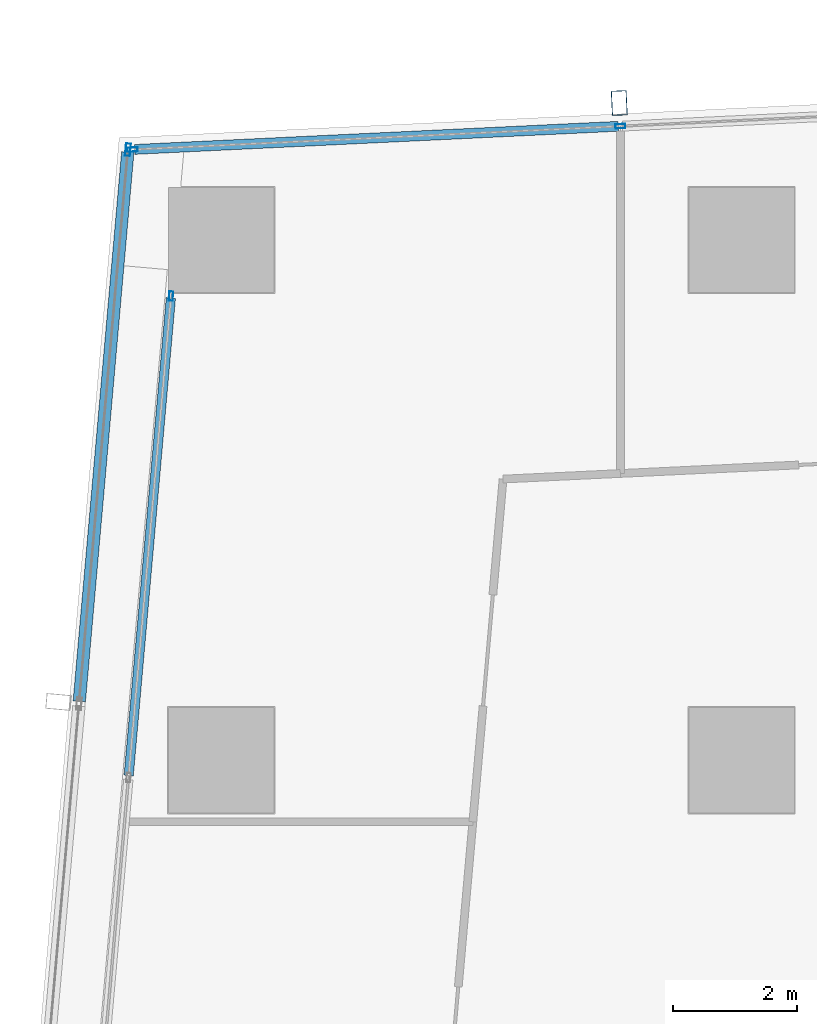
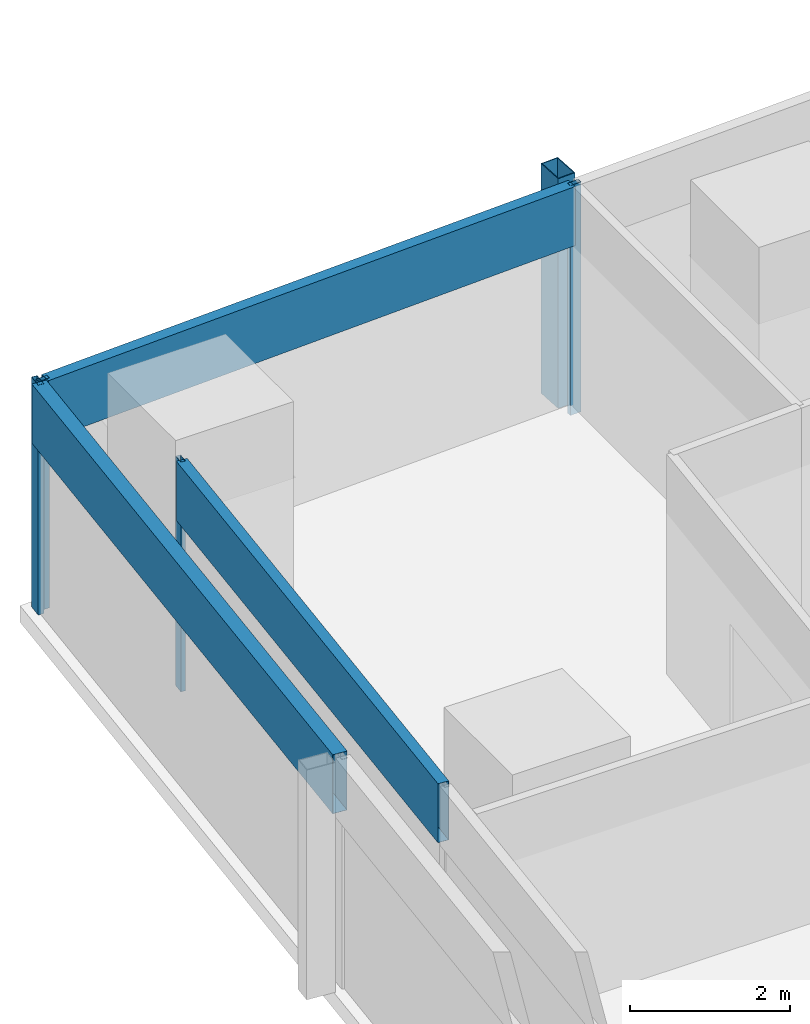
# One storey, part 15 of 34: 8 members, 3 elements without a shape of their own.
"""IFC4 building model written with IfcOpenShell, lengths in metres."""

import ifcopenshell
import ifcopenshell.guid

model = None  # the IFC model being written
_history = None  # IfcOwnerHistory: only IFC2X3 demands one
_inside = {}  # id of a spatial element -> (the spatial element, [elements in it])
_under = {}  # id of a project, library or spatial element -> (it, [spatial elements below it])
_declared = {}  # id of a project -> (the project, [libraries it declares])
_typed = {}  # id of a type object -> (the type object, [elements of that type])
_made_of = {}  # id of a material, layer set ... -> (it, [elements and type objects made of it])


def new_model(schema):
    """Start an empty IFC model of exactly this schema.

    Asked for "IFC4X3", IfcOpenShell would pick the latest addendum, in which some entities
    have other attributes; the version numbers below select the first issue.
    IFC2X3 requires an IfcOwnerHistory on every rooted entity: one is made here for all.
    """
    global model, _history
    if schema == "IFC4X3":
        model = ifcopenshell.file(schema_version=(4, 3, 0, 0))
    else:
        model = ifcopenshell.file(schema=schema)
    _inside.clear()
    _under.clear()
    _declared.clear()
    _typed.clear()
    _made_of.clear()
    _history = None
    if model.schema == "IFC2X3":
        org = make("IfcOrganization", Name="unknown")
        user = make(
            "IfcPersonAndOrganization",
            ThePerson=make("IfcPerson", FamilyName="unknown"),
            TheOrganization=org,
        )
        app = make(
            "IfcApplication",
            ApplicationDeveloper=org,
            Version="unknown",
            ApplicationFullName="unknown",
            ApplicationIdentifier="unknown",
        )
        _history = make(
            "IfcOwnerHistory",
            OwningUser=user,
            OwningApplication=app,
            ChangeAction="ADDED",
            CreationDate=0,
        )
    return model


def make(cls, **values):
    """One entity of the class cls with the attributes given. An attribute that is None is left unset."""
    return model.create_entity(
        cls, **{name: value for name, value in values.items() if value is not None}
    )


def rooted(cls, **values):
    """An entity with a GlobalId (a new one), such as an element, a storey or a relation."""
    return make(cls, GlobalId=ifcopenshell.guid.new(), OwnerHistory=_history, **values)


def si_unit(unit_type, name, prefix=None):
    """IfcSIUnit, for example si_unit("LENGTHUNIT", "METRE", prefix="MILLI")."""
    return make("IfcSIUnit", UnitType=unit_type, Prefix=prefix, Name=name)


def assignment(units):
    """IfcUnitAssignment: the units of a project."""
    return None if units is None else make("IfcUnitAssignment", Units=units)


def point(xyz):
    """IfcCartesianPoint."""
    return None if xyz is None else make("IfcCartesianPoint", Coordinates=xyz)


def direction(xyz):
    """IfcDirection."""
    return None if xyz is None else make("IfcDirection", DirectionRatios=xyz)


def frame(location, z_axis=None, x_axis=None):
    """IfcAxis2Placement3D, a coordinate frame: its origin and axes. An axis left out is left unset."""
    return make(
        "IfcAxis2Placement3D",
        Location=point(location),
        Axis=direction(z_axis),
        RefDirection=direction(x_axis),
    )


def frame_2d(location, x_axis=None):
    """IfcAxis2Placement2D, a coordinate frame in the plane: its origin and x axis."""
    return make(
        "IfcAxis2Placement2D", Location=point(location), RefDirection=direction(x_axis)
    )


def origin():
    """The frame at (0, 0, 0) with its axes left unset."""
    return frame((0.0, 0.0, 0.0))


def origin_2d():
    """The frame at (0, 0) in the plane with its x axis left unset."""
    return frame_2d((0.0, 0.0))


def place(relative_to, where):
    """IfcLocalPlacement: puts the frame where relative to a parent placement (None: the world)."""
    return make(
        "IfcLocalPlacement", PlacementRelTo=relative_to, RelativePlacement=where
    )


def context(
    kind, dimensions, precision=None, world=None, true_north=None, identifier=None
):
    """IfcGeometricRepresentationContext, for example the 3D "Model" context."""
    return make(
        "IfcGeometricRepresentationContext",
        ContextIdentifier=identifier,
        ContextType=kind,
        CoordinateSpaceDimension=dimensions,
        Precision=precision,
        WorldCoordinateSystem=world,
        TrueNorth=true_north,
    )


def subcontext(parent, identifier, kind, view, scale=None):
    """IfcGeometricRepresentationSubContext, for example "Body" below "Model"."""
    return make(
        "IfcGeometricRepresentationSubContext",
        ContextIdentifier=identifier,
        ContextType=kind,
        ParentContext=parent,
        TargetScale=scale,
        TargetView=view,
    )


def project(units=None, contexts=None):
    """IfcProject with its units and contexts."""
    return rooted(
        "IfcProject",
        Name="project",
        RepresentationContexts=contexts,
        UnitsInContext=assignment(units),
    )


def spatial(cls, under=None, at=None, **own):
    """A site, building, storey or space (cls), placed at a placement, below another one or the project."""
    s = rooted(cls, ObjectPlacement=at, **own)
    if under is not None:
        _under.setdefault(under.id(), (under, []))[1].append(s)
    return s


def profile(cls, at=None, kind="AREA", **sizes):
    """A parametric profile (cls). Its sizes go by their IFC names, for example OverallWidth=200.0."""
    return make(cls, ProfileType=kind, Position=at, **sizes)


def hollow_rectangle(**sizes):
    """IfcRectangleHollowProfileDef."""
    return profile("IfcRectangleHollowProfileDef", **sizes)


def extrude(swept, where, along, depth):
    """IfcExtrudedAreaSolid: the profile swept, set in the frame where, extruded along a direction by depth."""
    return make(
        "IfcExtrudedAreaSolid",
        SweptArea=swept,
        Position=where,
        ExtrudedDirection=direction(along),
        Depth=depth,
    )


def shape(context_of_items, identifier, shape_type, items):
    """IfcShapeRepresentation: the items that make up one representation, for example the "Body"."""
    return make(
        "IfcShapeRepresentation",
        ContextOfItems=context_of_items,
        RepresentationIdentifier=identifier,
        RepresentationType=shape_type,
        Items=items,
    )


def material(Name=None, Category=None):
    """IfcMaterial."""
    return make("IfcMaterial", Name=Name, Category=Category)


def material_profile(
    of_material, cross_section, Name=None, Category=None, Priority=None
):
    """IfcMaterialProfile: a cross section and its material."""
    return make(
        "IfcMaterialProfile",
        Name=Name,
        Material=of_material,
        Profile=cross_section,
        Priority=Priority,
        Category=Category,
    )


def profile_set(profiles, Name=None, composite=None):
    """IfcMaterialProfileSet."""
    return make(
        "IfcMaterialProfileSet",
        Name=Name,
        MaterialProfiles=profiles,
        CompositeProfile=composite,
    )


def made_of(thing, what):
    """Note that an element or type object is made of a material, layer set ...; save() writes the relation."""
    if what is not None:
        _made_of.setdefault(what.id(), (what, []))[1].append(thing)
    return thing


def type_object(cls, material=None, **own):
    """A type object (cls), such as IfcWallType, which elements share."""
    return made_of(rooted(cls, **own), material)


def element(
    cls,
    number,
    at=None,
    inside=None,
    cuts=None,
    type_object=None,
    material=None,
    context=None,
    identifier="Body",
    shape_type=None,
    held_by="IfcProductDefinitionShape",
    body=None,
    shapes=None,
    **own,
):
    """One element of the class cls, such as IfcWall. Its Tag is "e" and its number.

    at: its placement. inside: the storey or other place that contains it. cuts: it is an
    opening in that element (IfcRelVoidsElement). A single representation is given by context,
    identifier, shape_type and body (its items); several are given by shapes. held_by: the class
    of the entity that holds the representations. save() writes the other relations.
    """
    e = rooted(cls, Tag="e%d" % number, ObjectPlacement=at, **own)
    if body is not None:
        shapes = [shape(context, identifier, shape_type, body)]
    if shapes is not None:
        e.Representation = make(held_by, Representations=shapes)
    if inside is not None:
        _inside.setdefault(inside.id(), (inside, []))[1].append(e)
    if cuts is not None:
        rooted(
            "IfcRelVoidsElement", RelatingBuildingElement=cuts, RelatedOpeningElement=e
        )
    if type_object is not None:
        _typed.setdefault(type_object.id(), (type_object, []))[1].append(e)
    return made_of(e, material)


def aggregate(whole, parts):
    """IfcRelAggregates: a whole, such as a stair, and the parts it consists of."""
    return rooted("IfcRelAggregates", RelatingObject=whole, RelatedObjects=parts)


def save(model, path):
    """Write the relations noted so far, then the file.

    IfcRelAggregates (storeys below a building ...), IfcRelContainedInSpatialStructure (elements
    in a storey), IfcRelDefinesByType, IfcRelAssociatesMaterial and IfcRelDeclares: one each for
    every whole, place, type object, material and project.
    """
    for whole, parts in _under.values():
        aggregate(whole, parts)
    for where, things in _inside.values():
        rooted(
            "IfcRelContainedInSpatialStructure",
            RelatedElements=things,
            RelatingStructure=where,
        )
    for kind, things in _typed.values():
        rooted("IfcRelDefinesByType", RelatedObjects=things, RelatingType=kind)
    for what, things in _made_of.values():
        rooted("IfcRelAssociatesMaterial", RelatedObjects=things, RelatingMaterial=what)
    for by, libraries in _declared.values():
        rooted("IfcRelDeclares", RelatingContext=by, RelatedDefinitions=libraries)
    model.write(path)


model = new_model("IFC4")

# Units and contexts
model_context = context("Model", 3, precision=1e-05, world=origin(), true_north=direction((0.0, 1.0)))
body_context = subcontext(model_context, "Body", "Model", "MODEL_VIEW")
ifc_project = project(units=[si_unit("LENGTHUNIT", "METRE"), si_unit("AREAUNIT", "SQUARE_METRE"), si_unit("VOLUMEUNIT", "CUBIC_METRE"), si_unit("PLANEANGLEUNIT", "RADIAN"), si_unit("MASSUNIT", "GRAM", prefix="KILO")], contexts=[model_context])

# Site, building, storey
site_placement = place(None, origin())
site = spatial("IfcSite", under=ifc_project, at=site_placement, CompositionType="ELEMENT")
building_placement = place(site_placement, origin())
building = spatial("IfcBuilding", under=site, at=building_placement, Name="Rekha Terrace Tower", CompositionType="ELEMENT")
storey_placement = place(building_placement, frame((0.0, 0.0, 176.449951171875)))
storey = spatial("IfcBuildingStorey", under=building, at=storey_placement, Name="L44", CompositionType="ELEMENT", Elevation=176.449951171875)

# Curtain wall, member
ifc_material_1 = material(Name="Aluminium framing", Category="aluminium")
curtain_wall_type_1 = type_object("IfcCurtainWallType", Name="CW3 north unitised glazing", PredefinedType="USERDEFINED", material=ifc_material_1)
curtain_wall_1_placement = place(storey_placement, origin())
curtain_wall_1 = element("IfcCurtainWall", 1, at=curtain_wall_1_placement, inside=storey, type_object=curtain_wall_type_1, Name="CW3 unitised curtain wall", ObjectType="UNITISED CURTAIN WALL", PredefinedType="USERDEFINED")
ifc_material_2 = material(Name="Steel S355 with fluorocarbon finish", Category="steel")
ifc_material_profile_1 = material_profile(ifc_material_2, hollow_rectangle(XDim=0.25, YDim=0.39990234375, WallThickness=0.012451171875, at=origin_2d()), Name="RHS400x250x12.5")
ifc_profile_set_1 = profile_set([ifc_material_profile_1], Name="Steel S355 with fluorocarbon finish")
member_type_1 = type_object("IfcMemberType", Name="BL1 facade blade RHS 400 x 250", PredefinedType="USERDEFINED", material=ifc_profile_set_1)
member_1_placement = place(storey_placement, frame((14.824951171875, 61.01123046875, 0.0), z_axis=(0.0, 0.0, 1.0), x_axis=(-0.998858913274, -0.04775846913, 0.0)))
member_1 = element("IfcMember", 2, at=member_1_placement, type_object=member_type_1, Name="Facade blade", ObjectType="FACADE BLADE", PredefinedType="USERDEFINED", context=body_context, shape_type="SweptSolid", body=[
    extrude(hollow_rectangle(XDim=0.25, YDim=0.39990234375, WallThickness=0.012451171875, at=origin_2d()), origin(), (0.0, 0.0, 1.0), 3.5),
])

# Curtain wall, members
curtain_wall_type_2 = type_object("IfcCurtainWallType", Name="CW1 double skin inner glazing", PredefinedType="USERDEFINED", material=ifc_material_1)
curtain_wall_2_placement = place(storey_placement, origin())
curtain_wall_2 = element("IfcCurtainWall", 3, at=curtain_wall_2_placement, inside=storey, type_object=curtain_wall_type_2, Name="CW1 double skin inner glazing", ObjectType="DOUBLE SKIN INNER GLAZING", PredefinedType="USERDEFINED")
ifc_material_3 = material(Name="Aluminium mullion section", Category="aluminium")
ifc_material_profile_2 = material_profile(ifc_material_3, hollow_rectangle(XDim=0.06494140625, YDim=0.14990234375, WallThickness=0.00390625, at=origin_2d()), Name="AL RHS 65x150")
ifc_profile_set_2 = profile_set([ifc_material_profile_2], Name="Aluminium mullion section")
member_type_2 = type_object("IfcMemberType", Name="CW1 mullion RHS 65 x 150", PredefinedType="MULLION", material=ifc_profile_set_2)
member_2_placement = place(storey_placement, frame((7.58837890625, 57.893798828125, 0.0), z_axis=(0.0, 0.0, 1.0), x_axis=(0.996124185425, -0.087957985488, 0.0)))
member_2 = element("IfcMember", 4, at=member_2_placement, type_object=member_type_2, Name="CW1 mullion 1", PredefinedType="MULLION", context=body_context, shape_type="SweptSolid", body=[
    extrude(hollow_rectangle(XDim=0.06494140625, YDim=0.14990234375, WallThickness=0.00390625, at=origin_2d()), origin(), (0.0, 0.0, 1.0), 3.5),
])
ifc_material_4 = material(Name="Insulated aluminium spandrel box", Category="aluminium")
ifc_material_profile_3 = material_profile(ifc_material_4, hollow_rectangle(XDim=0.14990234375, YDim=0.89990234375, WallThickness=0.0029296875, at=origin_2d()), Name="AL SPANDREL BOX 150x900")
ifc_profile_set_3 = profile_set([ifc_material_profile_3], Name="Insulated aluminium spandrel box")
member_type_3 = type_object("IfcMemberType", Name="CW1 spandrel transom 150 x 900", PredefinedType="USERDEFINED", material=ifc_profile_set_3)
member_3_placement = place(storey_placement, frame((7.58544921875, 57.861572265625, 3.050048828125), z_axis=(-0.087955497748, -0.99612440509, 0.0), x_axis=(0.99612440509, -0.087955497748, 0.0)))
member_3 = element("IfcMember", 5, at=member_3_placement, type_object=member_type_3, Name="CW1 spandrel transom 1", ObjectType="TRANSOM", PredefinedType="USERDEFINED", context=body_context, shape_type="SweptSolid", body=[
    extrude(hollow_rectangle(XDim=0.14990234375, YDim=0.89990234375, WallThickness=0.0029296875, at=origin_2d()), origin(), (0.0, 0.0, 1.0), 7.73876953125),
])
aggregate(curtain_wall_2, [member_2, member_3])

curtain_wall_type_3 = type_object("IfcCurtainWallType", Name="CW2 double skin outer glazing", PredefinedType="USERDEFINED", material=ifc_material_1)
curtain_wall_3_placement = place(storey_placement, origin())
curtain_wall_3 = element("IfcCurtainWall", 6, at=curtain_wall_3_placement, inside=storey, type_object=curtain_wall_type_3, Name="CW2 double skin outer glazing", ObjectType="DOUBLE SKIN OUTER GLAZING", PredefinedType="USERDEFINED")
ifc_material_profile_4 = material_profile(ifc_material_3, hollow_rectangle(XDim=0.080078125, YDim=0.199951171875, WallThickness=0.00390625, at=origin_2d()), Name="AL RHS 80x200")
ifc_profile_set_4 = profile_set([ifc_material_profile_4], Name="Aluminium mullion section")
member_type_4 = type_object("IfcMemberType", Name="CW2 mullion RHS 80 x 200", PredefinedType="MULLION", material=ifc_profile_set_4)
member_4_placement = place(storey_placement, frame((6.8935546875, 60.257080078125, 0.0), z_axis=(0.0, 0.0, 1.0), x_axis=(0.996124185428, -0.087957985453, 0.0)))
member_4 = element("IfcMember", 7, at=member_4_placement, type_object=member_type_4, Name="CW2 mullion 1", PredefinedType="MULLION", context=body_context, shape_type="SweptSolid", body=[
    extrude(hollow_rectangle(XDim=0.080078125, YDim=0.199951171875, WallThickness=0.00390625, at=origin_2d()), origin(), (0.0, 0.0, 1.0), 3.5),
])
ifc_material_profile_5 = material_profile(ifc_material_4, hollow_rectangle(XDim=0.199951171875, YDim=0.89990234375, WallThickness=0.0029296875, at=origin_2d()), Name="AL SPANDREL BOX 200x900")
ifc_profile_set_5 = profile_set([ifc_material_profile_5], Name="Insulated aluminium spandrel box")
member_type_5 = type_object("IfcMemberType", Name="CW2 spandrel transom 200 x 900", PredefinedType="USERDEFINED", material=ifc_profile_set_5)
member_5_placement = place(storey_placement, frame((6.89013671875, 60.217041015625, 3.050048828125), z_axis=(-0.08797787529, -0.996122428951, 0.0), x_axis=(0.996122428951, -0.08797787529, 0.0)))
member_5 = element("IfcMember", 8, at=member_5_placement, type_object=member_type_5, Name="CW2 spandrel transom 1", ObjectType="TRANSOM", PredefinedType="USERDEFINED", context=body_context, shape_type="SweptSolid", body=[
    extrude(hollow_rectangle(XDim=0.199951171875, YDim=0.89990234375, WallThickness=0.0029296875, at=origin_2d()), origin(), (0.0, 0.0, 1.0), 8.8994140625),
])
aggregate(curtain_wall_3, [member_4, member_5])

# Member
ifc_material_profile_6 = material_profile(ifc_material_3, hollow_rectangle(XDim=0.070068359375, YDim=0.159912109375, WallThickness=0.00390625, at=origin_2d()), Name="AL RHS 70x160")
ifc_profile_set_6 = profile_set([ifc_material_profile_6], Name="Aluminium mullion section")
member_type_6 = type_object("IfcMemberType", Name="CW3 mullion RHS 70 x 160", PredefinedType="MULLION", material=ifc_profile_set_6)
member_6_placement = place(storey_placement, frame((14.843017578125, 60.63671875, 0.0), z_axis=(0.0, 0.0, 1.0), x_axis=(0.047758616983, -0.998858906204, 0.0)))
member_6 = element("IfcMember", 9, at=member_6_placement, type_object=member_type_6, Name="CW3 mullion 5", PredefinedType="MULLION", context=body_context, shape_type="SweptSolid", body=[
    extrude(hollow_rectangle(XDim=0.070068359375, YDim=0.159912109375, WallThickness=0.00390625, at=origin_2d()), origin(), (0.0, 0.0, 1.0), 3.5),
])

member_7_placement = place(storey_placement, frame((6.96875, 60.26025390625, 0.0), z_axis=(0.0, 0.0, 1.0), x_axis=(0.047758616983, -0.998858906204, 0.0)))
member_7 = element("IfcMember", 10, at=member_7_placement, type_object=member_type_6, Name="CW3 mullion 6", PredefinedType="MULLION", context=body_context, shape_type="SweptSolid", body=[
    extrude(hollow_rectangle(XDim=0.070068359375, YDim=0.159912109375, WallThickness=0.00390625, at=origin_2d()), origin(), (0.0, 0.0, 1.0), 3.5),
])

ifc_material_profile_7 = material_profile(ifc_material_4, hollow_rectangle(XDim=0.159912109375, YDim=0.89990234375, WallThickness=0.0029296875, at=origin_2d()), Name="AL SPANDREL BOX 160x900")
ifc_profile_set_7 = profile_set([ifc_material_profile_7], Name="Insulated aluminium spandrel box")
member_type_7 = type_object("IfcMemberType", Name="CW3 spandrel transom 160 x 900", PredefinedType="USERDEFINED", material=ifc_profile_set_7)
member_8_placement = place(storey_placement, frame((14.807861328125, 60.635009765625, 3.050048828125), z_axis=(-0.998859425172, -0.047747761666, 0.0), x_axis=(0.047747761666, -0.998859425172, 0.0)))
member_8 = element("IfcMember", 11, at=member_8_placement, type_object=member_type_7, Name="CW3 spandrel transom 5", ObjectType="TRANSOM", PredefinedType="USERDEFINED", context=body_context, shape_type="SweptSolid", body=[
    extrude(hollow_rectangle(XDim=0.159912109375, YDim=0.89990234375, WallThickness=0.0029296875, at=origin_2d()), origin(), (0.0, 0.0, 1.0), 7.81298828125),
])

aggregate(curtain_wall_1, [member_6, member_7, member_8, member_1])

save(model, "model.ifc")
